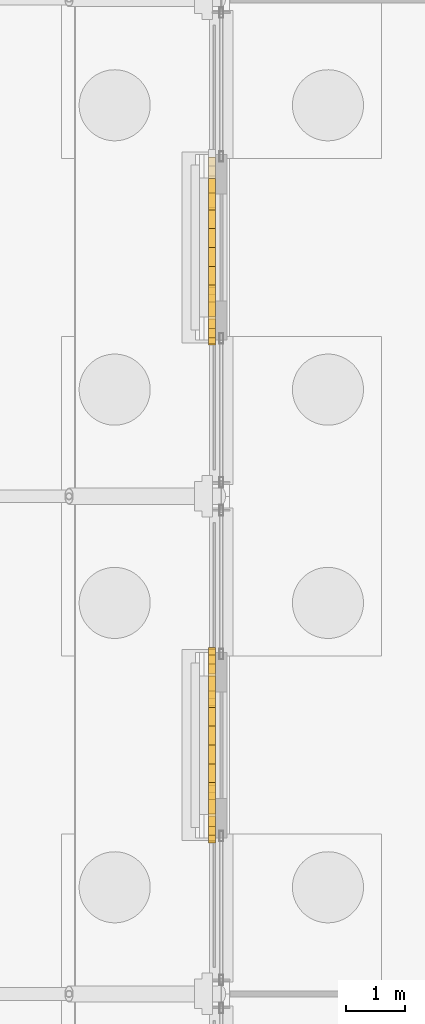
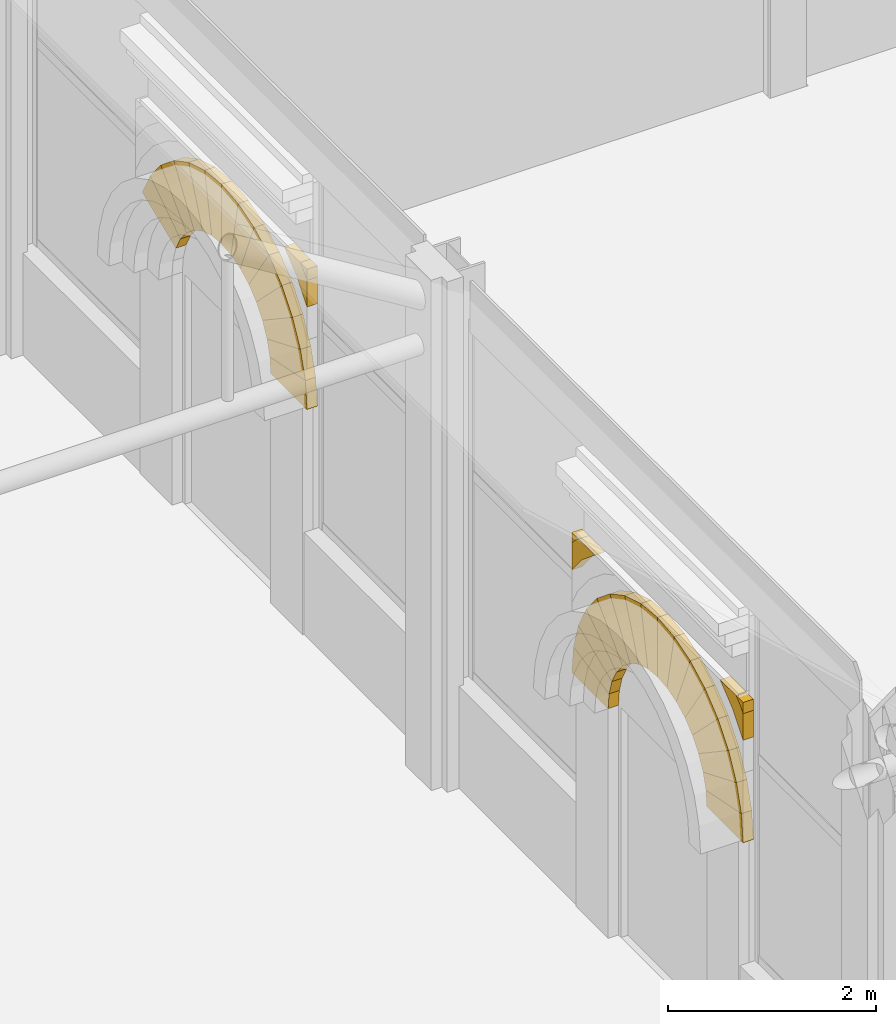
# One storey, part 209 of 212: 36 coverings.
"""IFC4 building model written with IfcOpenShell, lengths in metres."""

from ifc_helpers import new_model, si_unit, direction, frame, origin, place, context, subcontext, project, spatial, polyline, outline, extrude, material, layer, layer_set, type_object, element, save


model = new_model("IFC4")

# Units and contexts
model_context = context("Model", 3, precision=1e-05, world=origin(), true_north=direction((0.0, 1.0)))
body_context = subcontext(model_context, "Body", "Model", "MODEL_VIEW")
ifc_project = project(units=[si_unit("LENGTHUNIT", "METRE"), si_unit("AREAUNIT", "SQUARE_METRE"), si_unit("VOLUMEUNIT", "CUBIC_METRE"), si_unit("PLANEANGLEUNIT", "RADIAN"), si_unit("MASSUNIT", "GRAM", prefix="KILO")], contexts=[model_context])

# Site, building, storey
site_placement = place(None, origin())
site = spatial("IfcSite", under=ifc_project, at=site_placement, CompositionType="ELEMENT")
building_placement = place(site_placement, origin())
building = spatial("IfcBuilding", under=site, at=building_placement, Name="Catenary Quay Ferry Terminal", CompositionType="ELEMENT")
storey_placement = place(building_placement, origin())
storey = spatial("IfcBuildingStorey", under=building, at=storey_placement, Name="L00", CompositionType="ELEMENT", Elevation=0.0)

# Coverings
ifc_material_1 = material(Name="Pale glazed ceramic tile")
ifc_layer_1 = layer(ifc_material_1, 0.0400390625)
ifc_layer_set_1 = layer_set([ifc_layer_1], Name="AR1")
covering_type_1 = type_object("IfcCoveringType", Name="AR1", PredefinedType="CLADDING", material=ifc_layer_set_1)
covering_1_placement = place(storey_placement, frame((25.10009765625, 182.25, 2.699951171875), z_axis=(1.0, 0.0, 0.0), x_axis=(0.0, -0.098084271892, 0.995178112504)))
element("IfcCovering", 1, at=covering_1_placement, inside=storey, type_object=covering_type_1, Name="Archivolt band, lobby door", PredefinedType="CLADDING", context=body_context, shape_type="SweptSolid", body=[
    extrude(outline(polyline([(0.0, 0.0), (0.32358175921362203, -6.938893903907228e-18), (0.25485940314866806, 0.6966230577688772), (0.06865420105331027, 0.6965760860716634), (0.0, 0.0)])), origin(), (0.0, 0.0, -1.0), 0.114990234375),
])
covering_2_placement = place(storey_placement, frame((25.10009765625, 182.21826171875, 3.02197265625), z_axis=(1.0, 0.0, 0.0), x_axis=(0.0, -0.290049322866, 0.957011698102)))
element("IfcCovering", 2, at=covering_2_placement, inside=storey, type_object=covering_type_1, Name="Archivolt band, lobby door", PredefinedType="CLADDING", context=body_context, shape_type="SweptSolid", body=[
    extrude(outline(polyline([(0.0, 0.0), (0.323220889032318, 0.0), (0.2544950158521171, 0.6966084217425474), (0.06828421507863325, 0.6966661415695999), (0.0, 0.0)])), origin(), (0.0, 0.0, -1.0), 0.114990234375),
])
covering_3_placement = place(storey_placement, frame((25.10009765625, 182.12451171875, 3.331298828125), z_axis=(1.0, 0.0, 0.0), x_axis=(0.0, -0.471488549634, 0.881872183235)))
element("IfcCovering", 3, at=covering_3_placement, inside=storey, type_object=covering_type_1, Name="Archivolt band, lobby door", PredefinedType="CLADDING", context=body_context, shape_type="SweptSolid", body=[
    extrude(outline(polyline([(0.0, 0.0), (0.3236301088191418, 0.0), (0.25507696292887494, 0.6966466172850734), (0.0687400837331881, 0.6966070196139127), (0.0, 0.0)])), origin(), (0.0, 0.0, -1.0), 0.114990234375),
])
covering_4_placement = place(storey_placement, frame((25.10009765625, 181.971923828125, 3.61669921875), z_axis=(1.0, 0.0, 0.0), x_axis=(0.0, -0.63467504742, 0.772779130271)))
element("IfcCovering", 4, at=covering_4_placement, inside=storey, type_object=covering_type_1, Name="Archivolt band, lobby door", PredefinedType="CLADDING", context=body_context, shape_type="SweptSolid", body=[
    extrude(outline(polyline([(0.0, 0.0), (0.3235077012396816, 0.0), (0.25516371297324036, 0.6965111372508903), (0.06885453089043347, 0.6966168938247523), (0.0, 0.0)])), origin(), (0.0, 0.0, -1.0), 0.114990234375),
])
covering_5_placement = place(storey_placement, frame((25.10009765625, 181.7666015625, 3.86669921875), z_axis=(1.0, 0.0, 0.0), x_axis=(0.0, -0.772779130271, 0.63467504742)))
element("IfcCovering", 5, at=covering_5_placement, inside=storey, type_object=covering_type_1, Name="Archivolt band, lobby door", PredefinedType="CLADDING", context=body_context, shape_type="SweptSolid", body=[
    extrude(outline(polyline([(0.0, 0.0), (0.3235077012396816, 0.0), (0.25465317034924806, 0.6966168938247523), (0.06834398826644122, 0.6965111372508903), (0.0, 0.0)])), origin(), (0.0, 0.0, -1.0), 0.114990234375),
])
covering_6_placement = place(storey_placement, frame((25.10009765625, 181.5166015625, 4.072021484375), z_axis=(1.0, 0.0, 0.0), x_axis=(0.0, -0.882018256262, 0.471215232798)))
element("IfcCovering", 6, at=covering_6_placement, inside=storey, type_object=covering_type_1, Name="Archivolt band, lobby door", PredefinedType="CLADDING", context=body_context, shape_type="SweptSolid", body=[
    extrude(outline(polyline([(0.0, 0.0), (0.3232997140087275, 2.7755575615628914e-17), (0.25499085016474843, 0.696743331652805), (0.06876903496975784, 0.6966253390564514), (0.0, 0.0)])), origin(), (0.0, 0.0, -1.0), 0.114990234375),
])
covering_7_placement = place(storey_placement, frame((25.10009765625, 181.2314453125, 4.224365234375), z_axis=(1.0, 0.0, 0.0), x_axis=(0.0, -0.956865593017, 0.29053095687)))
element("IfcCovering", 7, at=covering_7_placement, inside=storey, type_object=covering_type_1, Name="Archivolt band, lobby door", PredefinedType="CLADDING", context=body_context, shape_type="SweptSolid", body=[
    extrude(outline(polyline([(0.0, 0.0), (0.3235253882667942, 1.3877787807814457e-17), (0.2545860046780012, 0.696794364757734), (0.06860886630450849, 0.6967138541372032), (0.0, 0.0)])), origin(), (0.0, 0.0, -1.0), 0.114990234375),
])
covering_8_placement = place(storey_placement, frame((25.10009765625, 180.921875, 4.318359375), z_axis=(1.0, 0.0, 0.0), x_axis=(0.0, -0.995170845689, 0.098157974157)))
element("IfcCovering", 8, at=covering_8_placement, inside=storey, type_object=covering_type_1, Name="Archivolt band, lobby door", PredefinedType="CLADDING", context=body_context, shape_type="SweptSolid", body=[
    extrude(outline(polyline([(0.0, 0.0), (0.3233387966939782, 0.0), (0.25460904330441064, 0.6968139612880772), (0.06840383824099779, 0.6968471426946057), (0.0, 0.0)])), origin(), (0.0, 0.0, -1.0), 0.114990234375),
])
covering_9_placement = place(storey_placement, frame((25.10009765625, 180.60009765625, 4.35009765625), z_axis=(1.0, 0.0, 0.0), x_axis=(0.0, -0.995178112504, -0.098084271892)))
element("IfcCovering", 9, at=covering_9_placement, inside=storey, type_object=covering_type_1, Name="Archivolt band, lobby door", PredefinedType="CLADDING", context=body_context, shape_type="SweptSolid", body=[
    extrude(outline(polyline([(0.0, 0.0), (0.32358175921362203, -6.938893903907228e-18), (0.25488334950411046, 0.6968660211752503), (0.06867814740875265, 0.6968190494780365), (0.0, 0.0)])), origin(), (0.0, 0.0, -1.0), 0.114990234375),
])
covering_10_placement = place(storey_placement, frame((25.10009765625, 180.278076171875, 4.318359375), z_axis=(1.0, 0.0, 0.0), x_axis=(0.0, -0.956865593017, -0.29053095687)))
element("IfcCovering", 10, at=covering_10_placement, inside=storey, type_object=covering_type_1, Name="Archivolt band, lobby door", PredefinedType="CLADDING", context=body_context, shape_type="SweptSolid", body=[
    extrude(outline(polyline([(0.0, 0.0), (0.3235253882667942, -1.3877787807814457e-17), (0.2549165219622857, 0.6967138541372032), (0.06870577382487292, 0.6968652951671263), (0.0, 0.0)])), origin(), (0.0, 0.0, -1.0), 0.114990234375),
])
covering_11_placement = place(storey_placement, frame((25.10009765625, 179.968505859375, 4.224365234375), z_axis=(1.0, 0.0, 0.0), x_axis=(0.0, -0.882018256262, -0.471215232798)))
element("IfcCovering", 11, at=covering_11_placement, inside=storey, type_object=covering_type_1, Name="Archivolt band, lobby door", PredefinedType="CLADDING", context=body_context, shape_type="SweptSolid", body=[
    extrude(outline(polyline([(0.0, 0.0), (0.3232997140087275, -2.7755575615628914e-17), (0.25453067903896964, 0.6966253390564515), (0.06830886384397908, 0.696743331652805), (0.0, 0.0)])), origin(), (0.0, 0.0, -1.0), 0.114990234375),
])
covering_12_placement = place(storey_placement, frame((25.10009765625, 179.683349609375, 4.072021484375), z_axis=(1.0, 0.0, 0.0), x_axis=(0.0, -0.772779130271, -0.63467504742)))
element("IfcCovering", 12, at=covering_12_placement, inside=storey, type_object=covering_type_1, Name="Archivolt band, lobby door", PredefinedType="CLADDING", context=body_context, shape_type="SweptSolid", body=[
    extrude(outline(polyline([(0.0, 0.0), (0.3235077012396816, 0.0), (0.25516371297324036, 0.6965111372508903), (0.06885453089043347, 0.6966168938247523), (0.0, 0.0)])), origin(), (0.0, 0.0, -1.0), 0.114990234375),
])
covering_13_placement = place(storey_placement, frame((25.10009765625, 179.433349609375, 3.86669921875), z_axis=(1.0, 0.0, 0.0), x_axis=(0.0, -0.63467504742, -0.772779130271)))
element("IfcCovering", 13, at=covering_13_placement, inside=storey, type_object=covering_type_1, Name="Archivolt band, lobby door", PredefinedType="CLADDING", context=body_context, shape_type="SweptSolid", body=[
    extrude(outline(polyline([(0.0, 0.0), (0.3235077012396816, 0.0), (0.25465317034924806, 0.6966168938247523), (0.06834398826644122, 0.6965111372508903), (0.0, 0.0)])), origin(), (0.0, 0.0, -1.0), 0.114990234375),
])
covering_14_placement = place(storey_placement, frame((25.10009765625, 179.22802734375, 3.61669921875), z_axis=(1.0, 0.0, 0.0), x_axis=(0.0, -0.470901555071, -0.882185765829)))
element("IfcCovering", 14, at=covering_14_placement, inside=storey, type_object=covering_type_1, Name="Archivolt band, lobby door", PredefinedType="CLADDING", context=body_context, shape_type="SweptSolid", body=[
    extrude(outline(polyline([(0.0, 0.0), (0.3235150709518261, 0.0), (0.25523859774205804, 0.6966526122057246), (0.06901675236276988, 0.6966008405675979), (0.0, 0.0)])), origin(), (0.0, 0.0, -1.0), 0.114990234375),
])
covering_15_placement = place(storey_placement, frame((25.10009765625, 179.07568359375, 3.331298828125), z_axis=(1.0, 0.0, 0.0), x_axis=(0.0, -0.290740886756, -0.956801827323)))
element("IfcCovering", 15, at=covering_15_placement, inside=storey, type_object=covering_type_1, Name="Archivolt band, lobby door", PredefinedType="CLADDING", context=body_context, shape_type="SweptSolid", body=[
    extrude(outline(polyline([(0.0, 0.0), (0.32329178628396105, 0.0), (0.2545041031160218, 0.6966166101111616), (0.06822241102483315, 0.6966579085325758), (0.0, 0.0)])), origin(), (0.0, 0.0, -1.0), 0.114990234375),
])
covering_16_placement = place(storey_placement, frame((25.10009765625, 178.981689453125, 3.02197265625), z_axis=(1.0, 0.0, 0.0), x_axis=(0.0, -0.098084271892, -0.995178112504)))
element("IfcCovering", 16, at=covering_16_placement, inside=storey, type_object=covering_type_1, Name="Archivolt band, lobby door", PredefinedType="CLADDING", context=body_context, shape_type="SweptSolid", body=[
    extrude(outline(polyline([(0.0, 0.0), (0.32358175921362203, 6.938893903907228e-18), (0.25492755816031176, 0.6965760860716634), (0.06872235606495396, 0.6966230577688773), (0.0, 0.0)])), origin(), (0.0, 0.0, -1.0), 0.114990234375),
])
covering_17_placement = place(storey_placement, frame((25.10009765625, 190.5244140625, 3.331298828125), z_axis=(1.0, 0.0, 0.0), x_axis=(0.0, -0.471488549634, 0.881872183235)))
element("IfcCovering", 17, at=covering_17_placement, inside=storey, type_object=covering_type_1, Name="Archivolt band, lobby door", PredefinedType="CLADDING", context=body_context, shape_type="SweptSolid", body=[
    extrude(outline(polyline([(0.0, 0.0), (0.3236301088191418, 0.0), (0.25507696292887494, 0.6966466172850734), (0.0687400837331881, 0.6966070196139127), (0.0, 0.0)])), origin(), (0.0, 0.0, -1.0), 0.114990234375),
])
covering_18_placement = place(storey_placement, frame((25.10009765625, 190.371826171875, 3.61669921875), z_axis=(1.0, 0.0, 0.0), x_axis=(0.0, -0.634224045665, 0.773149312811)))
element("IfcCovering", 18, at=covering_18_placement, inside=storey, type_object=covering_type_1, Name="Archivolt band, lobby door", PredefinedType="CLADDING", context=body_context, shape_type="SweptSolid", body=[
    extrude(outline(polyline([(0.0, 0.0), (0.3233528063176747, 0.0), (0.25460243607735067, 0.6964711419998034), (0.06844806385695024, 0.6966569498256818), (0.0, 0.0)])), origin(), (0.0, 0.0, -1.0), 0.114990234375),
])
covering_19_placement = place(storey_placement, frame((25.10009765625, 190.166748046875, 3.86669921875), z_axis=(1.0, 0.0, 0.0), x_axis=(0.0, -0.772779130271, 0.63467504742)))
element("IfcCovering", 19, at=covering_19_placement, inside=storey, type_object=covering_type_1, Name="Archivolt band, lobby door", PredefinedType="CLADDING", context=body_context, shape_type="SweptSolid", body=[
    extrude(outline(polyline([(0.0, 0.0), (0.3235077012396816, 0.0), (0.25465317034924806, 0.6966168938247523), (0.06834398826644122, 0.6965111372508903), (0.0, 0.0)])), origin(), (0.0, 0.0, -1.0), 0.114990234375),
])
covering_20_placement = place(storey_placement, frame((25.10009765625, 189.916748046875, 4.072021484375), z_axis=(1.0, 0.0, 0.0), x_axis=(0.0, -0.882185765829, 0.470901555071)))
element("IfcCovering", 20, at=covering_20_placement, inside=storey, type_object=covering_type_1, Name="Archivolt band, lobby door", PredefinedType="CLADDING", context=body_context, shape_type="SweptSolid", body=[
    extrude(outline(polyline([(0.0, 0.0), (0.3235150709518261, 0.0), (0.25523859774205804, 0.6966526122057246), (0.06901675236276988, 0.6966008405675979), (0.0, 0.0)])), origin(), (0.0, 0.0, -1.0), 0.114990234375),
])
covering_21_placement = place(storey_placement, frame((25.10009765625, 189.63134765625, 4.224365234375), z_axis=(1.0, 0.0, 0.0), x_axis=(0.0, -0.956801827323, 0.290740886756)))
element("IfcCovering", 21, at=covering_21_placement, inside=storey, type_object=covering_type_1, Name="Archivolt band, lobby door", PredefinedType="CLADDING", context=body_context, shape_type="SweptSolid", body=[
    extrude(outline(polyline([(0.0, 0.0), (0.32329178628396105, 0.0), (0.2544331214542162, 0.6968502043072854), (0.06822241102483315, 0.6966579085325758), (0.0, 0.0)])), origin(), (0.0, 0.0, -1.0), 0.114990234375),
])
covering_22_placement = place(storey_placement, frame((25.10009765625, 189.322021484375, 4.318359375), z_axis=(1.0, 0.0, 0.0), x_axis=(0.0, -0.995178112504, 0.098084271892)))
element("IfcCovering", 22, at=covering_22_placement, inside=storey, type_object=covering_type_1, Name="Archivolt band, lobby door", PredefinedType="CLADDING", context=body_context, shape_type="SweptSolid", body=[
    extrude(outline(polyline([(0.0, 0.0), (0.32358175921362203, 6.938893903907228e-18), (0.2549036118048694, 0.6968190494780365), (0.06869840970951158, 0.6968660211752504), (0.0, 0.0)])), origin(), (0.0, 0.0, -1.0), 0.114990234375),
])
covering_23_placement = place(storey_placement, frame((25.10009765625, 189.0, 4.35009765625), z_axis=(1.0, 0.0, 0.0), x_axis=(0.0, -0.995178112504, -0.098084271892)))
element("IfcCovering", 23, at=covering_23_placement, inside=storey, type_object=covering_type_1, Name="Archivolt band, lobby door", PredefinedType="CLADDING", context=body_context, shape_type="SweptSolid", body=[
    extrude(outline(polyline([(0.0, 0.0), (0.32358175921362203, -6.938893903907228e-18), (0.25488334950411046, 0.6968660211752503), (0.06867814740875265, 0.6968190494780365), (0.0, 0.0)])), origin(), (0.0, 0.0, -1.0), 0.114990234375),
])
covering_24_placement = place(storey_placement, frame((25.10009765625, 188.677978515625, 4.318359375), z_axis=(1.0, 0.0, 0.0), x_axis=(0.0, -0.956801827323, -0.290740886756)))
element("IfcCovering", 24, at=covering_24_placement, inside=storey, type_object=covering_type_1, Name="Archivolt band, lobby door", PredefinedType="CLADDING", context=body_context, shape_type="SweptSolid", body=[
    extrude(outline(polyline([(0.0, 0.0), (0.32329178628396105, 0.0), (0.25506937525912793, 0.6966579085325758), (0.06885866482974484, 0.6968502043072854), (0.0, 0.0)])), origin(), (0.0, 0.0, -1.0), 0.114990234375),
])
covering_25_placement = place(storey_placement, frame((25.10009765625, 188.36865234375, 4.224365234375), z_axis=(1.0, 0.0, 0.0), x_axis=(0.0, -0.882185765829, -0.470901555071)))
element("IfcCovering", 25, at=covering_25_placement, inside=storey, type_object=covering_type_1, Name="Archivolt band, lobby door", PredefinedType="CLADDING", context=body_context, shape_type="SweptSolid", body=[
    extrude(outline(polyline([(0.0, 0.0), (0.3235150709518261, 0.0), (0.2544983185890562, 0.6966008405675979), (0.06827647320976807, 0.6966526122057246), (0.0, 0.0)])), origin(), (0.0, 0.0, -1.0), 0.114990234375),
])
covering_26_placement = place(storey_placement, frame((25.10009765625, 188.083251953125, 4.072021484375), z_axis=(1.0, 0.0, 0.0), x_axis=(0.0, -0.772779130271, -0.63467504742)))
element("IfcCovering", 26, at=covering_26_placement, inside=storey, type_object=covering_type_1, Name="Archivolt band, lobby door", PredefinedType="CLADDING", context=body_context, shape_type="SweptSolid", body=[
    extrude(outline(polyline([(0.0, 0.0), (0.3235077012396816, 0.0), (0.25516371297324036, 0.6965111372508903), (0.06885453089043347, 0.6966168938247523), (0.0, 0.0)])), origin(), (0.0, 0.0, -1.0), 0.114990234375),
])
covering_27_placement = place(storey_placement, frame((25.10009765625, 187.833251953125, 3.86669921875), z_axis=(1.0, 0.0, 0.0), x_axis=(0.0, -0.634224045665, -0.773149312811)))
element("IfcCovering", 27, at=covering_27_placement, inside=storey, type_object=covering_type_1, Name="Archivolt band, lobby door", PredefinedType="CLADDING", context=body_context, shape_type="SweptSolid", body=[
    extrude(outline(polyline([(0.0, 0.0), (0.3233528063176747, 0.0), (0.2549047424607245, 0.6966569498256818), (0.06875037024032393, 0.6964711419998034), (0.0, 0.0)])), origin(), (0.0, 0.0, -1.0), 0.114990234375),
])
covering_28_placement = place(storey_placement, frame((25.10009765625, 187.628173828125, 3.61669921875), z_axis=(1.0, 0.0, 0.0), x_axis=(0.0, -0.471488549634, -0.881872183235)))
element("IfcCovering", 28, at=covering_28_placement, inside=storey, type_object=covering_type_1, Name="Archivolt band, lobby door", PredefinedType="CLADDING", context=body_context, shape_type="SweptSolid", body=[
    extrude(outline(polyline([(0.0, 0.0), (0.3236301088191418, 0.0), (0.25489002508595365, 0.6966070196139127), (0.0685531458902669, 0.6966466172850734), (0.0, 0.0)])), origin(), (0.0, 0.0, -1.0), 0.114990234375),
])
covering_29_placement = place(storey_placement, frame((25.10009765625, 187.4755859375, 3.331298828125), z_axis=(1.0, 0.0, 0.0), x_axis=(0.0, -0.290740886756, -0.956801827323)))
element("IfcCovering", 29, at=covering_29_placement, inside=storey, type_object=covering_type_1, Name="Archivolt band, lobby door", PredefinedType="CLADDING", context=body_context, shape_type="SweptSolid", body=[
    extrude(outline(polyline([(0.0, 0.0), (0.32329178628396105, 0.0), (0.2544331214542162, 0.6968502043072854), (0.06822241102483315, 0.6966579085325758), (0.0, 0.0)])), origin(), (0.0, 0.0, -1.0), 0.114990234375),
])
covering_30_placement = place(storey_placement, frame((25.10009765625, 187.381591796875, 3.02197265625), z_axis=(1.0, 0.0, 0.0), x_axis=(0.0, -0.097336953379, -0.995251484554)))
element("IfcCovering", 30, at=covering_30_placement, inside=storey, type_object=covering_type_1, Name="Archivolt band, lobby door", PredefinedType="CLADDING", context=body_context, shape_type="SweptSolid", body=[
    extrude(outline(polyline([(0.0, 0.0), (0.3235579040802213, 0.0), (0.2554267894955526, 0.6966274429238606), (0.06922167516940667, 0.69681423826726), (0.0, 0.0)])), origin(), (0.0, 0.0, -1.0), 0.114990234375),
])
ifc_material_2 = material(Name="Glazed ceramic tile, teal")
ifc_layer_2 = layer(ifc_material_2, 0.034912109375)
ifc_layer_set_2 = layer_set([ifc_layer_2], Name="TM1")
covering_type_2 = type_object("IfcCoveringType", Name="TM1", PredefinedType="CLADDING", material=ifc_layer_set_2)
covering_31_placement = place(storey_placement, frame((25.10009765625, 178.949951171875, 4.35009765625), z_axis=(1.0, 0.0, 0.0), x_axis=(0.0, 0.0, -1.0)))
element("IfcCovering", 31, at=covering_31_placement, inside=storey, type_object=covering_type_2, Name="Tile relief spandrel panel", PredefinedType="CLADDING", context=body_context, shape_type="SweptSolid", body=[
    extrude(outline(polyline([(0.0, 0.0), (0.131103515625, 0.0), (0.05908203125, 0.05908203125), (0.0, 0.130859375), (0.0, 0.0)])), origin(), (0.0, 0.0, -1.0), 0.114990234375),
])
covering_32_placement = place(storey_placement, frame((25.10009765625, 182.119140625, 4.35009765625), z_axis=(1.0, 0.0, 0.0), x_axis=(0.0, 0.772081825215, -0.635523135041)))
element("IfcCovering", 32, at=covering_32_placement, inside=storey, type_object=covering_type_2, Name="Tile relief spandrel panel", PredefinedType="CLADDING", context=body_context, shape_type="SweptSolid", body=[
    extrude(outline(polyline([(0.0, 0.0), (0.0929659802961903, 0.0), (0.18435346236142044, -0.01805848138636204), (0.10103414509651622, 0.08316416024951334), (0.0, 0.0)])), origin(), (0.0, 0.0, -1.0), 0.114990234375),
])
covering_33_placement = place(storey_placement, frame((25.10009765625, 187.35009765625, 4.35009765625), z_axis=(1.0, 0.0, 0.0), x_axis=(0.0, 0.0, -1.0)))
element("IfcCovering", 33, at=covering_33_placement, inside=storey, type_object=covering_type_2, Name="Tile relief spandrel panel", PredefinedType="CLADDING", context=body_context, shape_type="SweptSolid", body=[
    extrude(outline(polyline([(0.0, 0.0), (0.131103515625, 0.0), (0.05908203125, 0.058837890625), (0.0, 0.130859375), (0.0, 0.0)])), origin(), (0.0, 0.0, -1.0), 0.114990234375),
])
ifc_material_3 = material(Name="Glazed ceramic tile, ochre")
ifc_layer_3 = layer(ifc_material_3, 0.034912109375)
ifc_layer_set_3 = layer_set([ifc_layer_3], Name="TM3")
covering_type_3 = type_object("IfcCoveringType", Name="TM3", PredefinedType="CLADDING", material=ifc_layer_set_3)
covering_34_placement = place(storey_placement, frame((25.10009765625, 178.949951171875, 4.218994140625), z_axis=(1.0, 0.0, 0.0), x_axis=(0.0, 0.0, -1.0)))
element("IfcCovering", 34, at=covering_34_placement, inside=storey, type_object=covering_type_3, Name="Tile relief spandrel panel", PredefinedType="CLADDING", context=body_context, shape_type="SweptSolid", body=[
    extrude(outline(polyline([(0.0, 0.0), (0.313720703125, 0.0), (0.0693359375, 0.200439453125), (-0.131103515625, 0.44482421875), (-0.131103515625, 0.130859375), (-0.072021484375, 0.05908203125), (0.0, 0.0)])), origin(), (0.0, 0.0, -1.0), 0.114990234375),
])
covering_35_placement = place(storey_placement, frame((25.10009765625, 182.19091796875, 4.291015625), z_axis=(1.0, 0.0, 0.0), x_axis=(0.0, -0.772081825215, 0.635523135041)))
element("IfcCovering", 35, at=covering_35_placement, inside=storey, type_object=covering_type_3, Name="Tile relief spandrel panel", PredefinedType="CLADDING", context=body_context, shape_type="SweptSolid", body=[
    extrude(outline(polyline([(0.0, 0.0), (0.0929659802961903, 0.0), (0.33518403337272634, 0.1993767647772848), (0.019303584377639293, 0.19897540820028192), (-0.29076424684251495, 0.2602765344628981), (-0.09138748206523015, 0.01805848138636204), (0.0, 0.0)])), origin(), (0.0, 0.0, -1.0), 0.114990234375),
])
covering_36_placement = place(storey_placement, frame((25.10009765625, 187.35009765625, 4.218994140625), z_axis=(1.0, 0.0, 0.0), x_axis=(0.0, 0.0, -1.0)))
element("IfcCovering", 36, at=covering_36_placement, inside=storey, type_object=covering_type_3, Name="Tile relief spandrel panel", PredefinedType="CLADDING", context=body_context, shape_type="SweptSolid", body=[
    extrude(outline(polyline([(0.0, 0.0), (0.313720703125, 0.0), (0.0693359375, 0.2001953125), (-0.131103515625, 0.444580078125), (-0.131103515625, 0.130859375), (-0.072021484375, 0.058837890625), (0.0, 0.0)])), origin(), (0.0, 0.0, -1.0), 0.114990234375),
])

save(model, "model.ifc")
